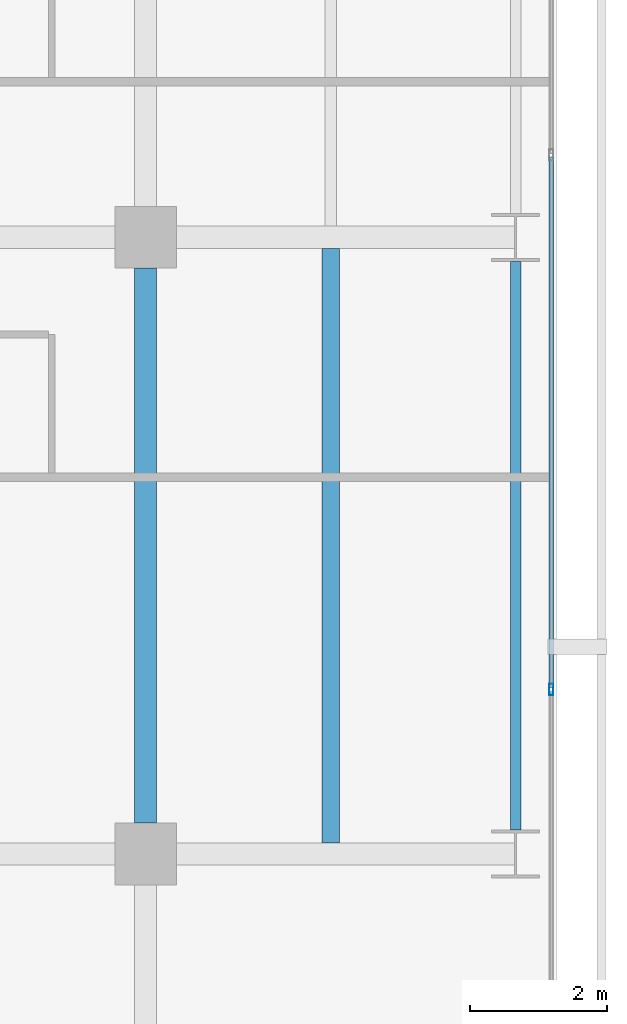
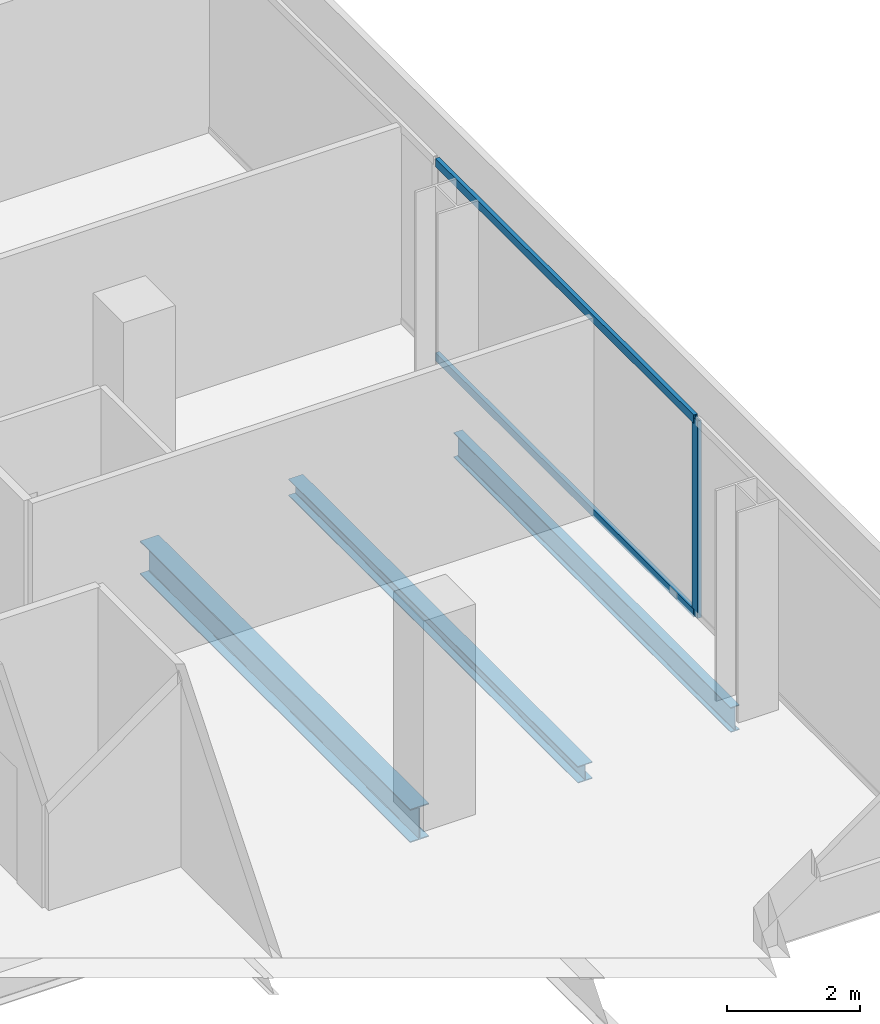
# One storey, part 17 of 40: 3 beams, 3 members, 1 element without a shape of its own.
"""IFC4 building model written with IfcOpenShell, lengths in metres."""

from ifc_helpers import new_model, si_unit, direction, frame, origin, origin_2d, place, context, subcontext, project, spatial, hollow_rectangle, i_section, extrude, material, layer, layer_set, material_profile, profile_set, type_object, element, aggregate, save


model = new_model("IFC4")

# Units and contexts
model_context = context("Model", 3, precision=1e-05, world=origin(), true_north=direction((0.0, 1.0)))
body_context = subcontext(model_context, "Body", "Model", "MODEL_VIEW")
ifc_project = project(units=[si_unit("LENGTHUNIT", "METRE"), si_unit("AREAUNIT", "SQUARE_METRE"), si_unit("VOLUMEUNIT", "CUBIC_METRE"), si_unit("PLANEANGLEUNIT", "RADIAN"), si_unit("MASSUNIT", "GRAM", prefix="KILO")], contexts=[model_context])

# Site, building, storey
site_placement = place(None, origin())
site = spatial("IfcSite", under=ifc_project, at=site_placement, CompositionType="ELEMENT")
building_placement = place(site_placement, origin())
building = spatial("IfcBuilding", under=site, at=building_placement, Name="Maruvema Waterfront Hotel and Observation Tower", CompositionType="ELEMENT")
storey_placement = place(building_placement, frame((0.0, 0.0, 92.39990234375)))
storey = spatial("IfcBuildingStorey", under=building, at=storey_placement, Name="L22", CompositionType="ELEMENT", Elevation=92.39990234375)

# Curtain wall, members
ifc_material_1 = material(Name="Anodised bronze aluminium and solar-control low-E IGU", Category="aluminium")
ifc_layer = layer(ifc_material_1, 0.159912109375, Name="Zone 1 Bronze Inner Thermal Curtain Wall System CW-02")
ifc_layer_set = layer_set([ifc_layer], Name="Anodised bronze aluminium and solar-control low-E IGU")
curtain_wall_type = type_object("IfcCurtainWallType", Name="Zone 1 Bronze Inner Thermal Curtain Wall System CW-02", PredefinedType="USERDEFINED", material=ifc_layer_set)
curtain_wall_placement = place(storey_placement, origin())
curtain_wall = element("IfcCurtainWall", 1, at=curtain_wall_placement, inside=storey, type_object=curtain_wall_type, Name="L22 Curtain Wall CW-L22-E", ObjectType="UNITISED CURTAIN WALL", PredefinedType="USERDEFINED")
ifc_material_2 = material(Name="Anodised architectural bronze aluminium", Category="aluminium")
ifc_material_profile_1 = material_profile(ifc_material_2, hollow_rectangle(XDim=0.070068359375, YDim=0.14990234375, WallThickness=0.00390625, at=origin_2d()), Name="ALU-T70x150")
ifc_profile_set_1 = profile_set([ifc_material_profile_1], Name="Anodised architectural bronze aluminium")
member_type_1 = type_object("IfcMemberType", Name="Curtain Wall Horizontal Transom ALU-T70x150", PredefinedType="USERDEFINED", material=ifc_profile_set_1)
member_1_placement = place(storey_placement, frame((64.719970703125, 11.429931640625, 0.030029296875), z_axis=(0.0, 1.0, 0.0), x_axis=(-1.0, 0.0, 0.0)))
member_1 = element("IfcMember", 2, at=member_1_placement, type_object=member_type_1, Name="CW-02 transom 2.1", ObjectType="TRANSOM", PredefinedType="USERDEFINED", context=body_context, shape_type="SweptSolid", body=[
    extrude(hollow_rectangle(XDim=0.070068359375, YDim=0.14990234375, WallThickness=0.00390625, at=origin_2d()), origin(), (0.0, 0.0, 1.0), 7.739990234375),
])
member_2_placement = place(storey_placement, frame((64.719970703125, 11.429931640625, 3.580078125), z_axis=(0.0, 1.0, 0.0), x_axis=(-1.0, 0.0, 0.0)))
member_2 = element("IfcMember", 3, at=member_2_placement, type_object=member_type_1, Name="CW-02 transom 2.2", ObjectType="TRANSOM", PredefinedType="USERDEFINED", context=body_context, shape_type="SweptSolid", body=[
    extrude(hollow_rectangle(XDim=0.070068359375, YDim=0.14990234375, WallThickness=0.00390625, at=origin_2d()), origin(), (0.0, 0.0, 1.0), 7.739990234375),
])
ifc_material_3 = material(Name="Anodised architectural bronze aluminium", Category="aluminium")
ifc_material_profile_2 = material_profile(ifc_material_3, hollow_rectangle(XDim=0.06494140625, YDim=0.1650390625, WallThickness=0.00390625, at=origin_2d()), Name="ALU-M65x165")
ifc_profile_set_2 = profile_set([ifc_material_profile_2], Name="Anodised architectural bronze aluminium")
member_type_2 = type_object("IfcMemberType", Name="Curtain Wall Primary Mullion ALU-M65x165", PredefinedType="MULLION", material=ifc_profile_set_2)
member_3_placement = place(storey_placement, frame((64.719970703125, 11.39990234375, 0.0), z_axis=(0.0, 0.0, 1.0), x_axis=(-1.0, 0.0, 0.0)))
member_3 = element("IfcMember", 4, at=member_3_placement, type_object=member_type_2, Name="CW-02 mullion 2", PredefinedType="MULLION", context=body_context, shape_type="SweptSolid", body=[
    extrude(hollow_rectangle(XDim=0.06494140625, YDim=0.1650390625, WallThickness=0.00390625, at=origin_2d()), origin(), (0.0, 0.0, 1.0), 3.610107421875),
])
aggregate(curtain_wall, [member_3, member_1, member_2])

# Beams
ifc_material_4 = material(Name="Steel ASTM A572 Grade 50", Category="steel")
ifc_material_profile_3 = material_profile(ifc_material_4, i_section(OverallWidth=0.153076171875, OverallDepth=0.455078125, WebThickness=0.008056640625, FlangeThickness=0.01318359375, FilletRadius=0.014892578125, at=origin_2d()), Name="W460x60.0")
ifc_profile_set_3 = profile_set([ifc_material_profile_3], Name="Steel ASTM A572 Grade 50")
beam_type_1 = type_object("IfcBeamType", Name="Perimeter Spandrel Beam W460x60.0", PredefinedType="SPANDREL", material=ifc_profile_set_3)
beam_1_placement = place(storey_placement, frame((64.199951171875, 9.35009765625, -0.46728515625), z_axis=(0.0, 1.0, 0.0), x_axis=(-1.0, 0.0, 0.0)))
element("IfcBeam", 5, at=beam_1_placement, inside=storey, type_object=beam_type_1, Name="L22 Floor Girder NS-33", PredefinedType="SPANDREL", context=body_context, shape_type="SweptSolid", body=[
    extrude(i_section(OverallWidth=0.153076171875, OverallDepth=0.455078125, WebThickness=0.008056640625, FlangeThickness=0.01318359375, FilletRadius=0.014892578125, at=origin_2d()), origin(), (0.0, 0.0, 1.0), 8.2998046875),
])
ifc_material_5 = material(Name="Steel ASTM A572 Grade 50", Category="steel")
ifc_material_profile_4 = material_profile(ifc_material_5, i_section(OverallWidth=0.323974609375, OverallDepth=0.611083984375, WebThickness=0.0126953125, FlangeThickness=0.01904296875, FilletRadius=0.01806640625, at=origin_2d()), Name="W610x155.0")
ifc_profile_set_4 = profile_set([ifc_material_profile_4], Name="Steel ASTM A572 Grade 50")
beam_type_2 = type_object("IfcBeamType", Name="Primary Floor Girder W610x155.0", PredefinedType="BEAM", material=ifc_profile_set_4)
beam_2_placement = place(storey_placement, frame((58.800048828125, 9.449951171875, -0.54541015625), z_axis=(0.0, 1.0, 0.0), x_axis=(-1.0, 0.0, 0.0)))
element("IfcBeam", 6, at=beam_2_placement, inside=storey, type_object=beam_type_2, Name="L22 Floor Girder NS-28", PredefinedType="BEAM", context=body_context, shape_type="SweptSolid", body=[
    extrude(i_section(OverallWidth=0.323974609375, OverallDepth=0.611083984375, WebThickness=0.0126953125, FlangeThickness=0.01904296875, FilletRadius=0.01806640625, at=origin_2d()), origin(), (0.0, 0.0, 1.0), 8.10009765625),
])
ifc_material_6 = material(Name="Steel ASTM A572 Grade 50", Category="steel")
ifc_material_profile_5 = material_profile(ifc_material_6, i_section(OverallWidth=0.25390625, OverallDepth=0.305908203125, WebThickness=0.0087890625, FlangeThickness=0.0146484375, FilletRadius=0.014892578125, at=origin_2d()), Name="W310x79.0")
ifc_profile_set_5 = profile_set([ifc_material_profile_5], Name="Steel ASTM A572 Grade 50")
beam_type_3 = type_object("IfcBeamType", Name="Secondary Floor Joist W310x79.0", PredefinedType="JOIST", material=ifc_profile_set_5)
beam_3_placement = place(storey_placement, frame((61.5, 9.162109375, -0.392822265625), z_axis=(0.0, 1.0, 0.0), x_axis=(-1.0, 0.0, 0.0)))
element("IfcBeam", 7, at=beam_3_placement, inside=storey, type_object=beam_type_3, Name="L22 Secondary Floor Joist JS-21", PredefinedType="JOIST", context=body_context, shape_type="SweptSolid", body=[
    extrude(i_section(OverallWidth=0.25390625, OverallDepth=0.305908203125, WebThickness=0.0087890625, FlangeThickness=0.0146484375, FilletRadius=0.014892578125, at=origin_2d()), origin(), (0.0, 0.0, 1.0), 8.67578125),
])

save(model, "model.ifc")
